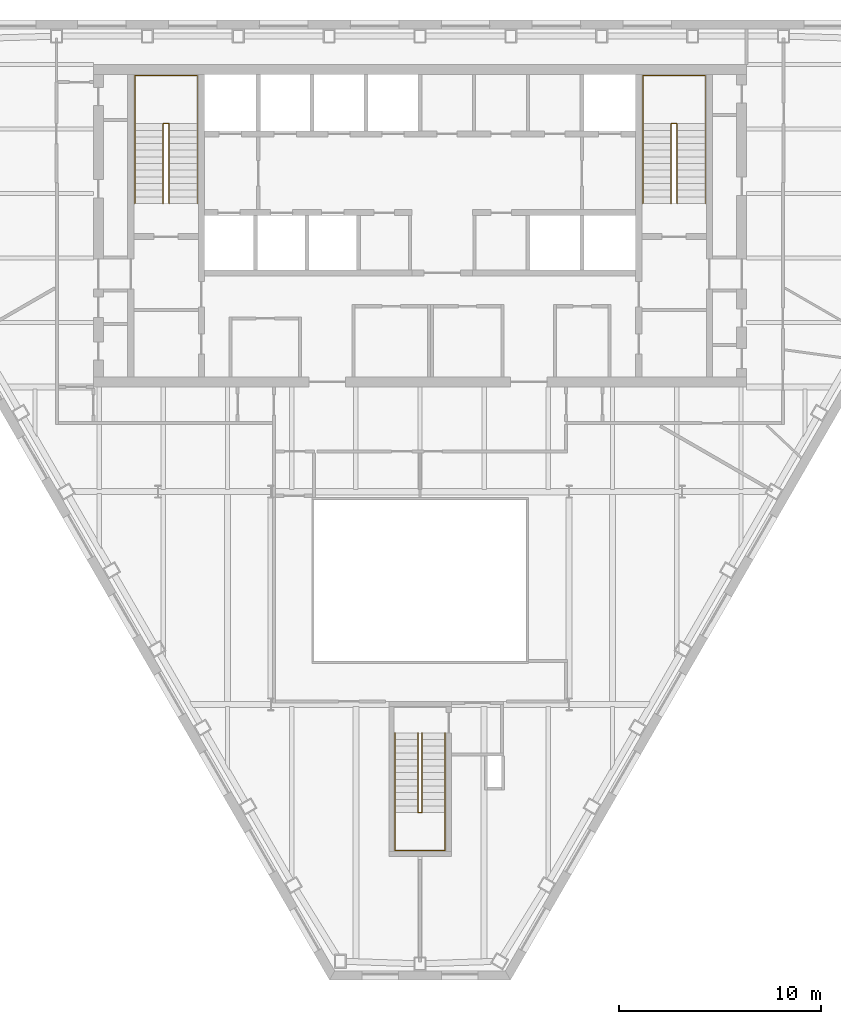
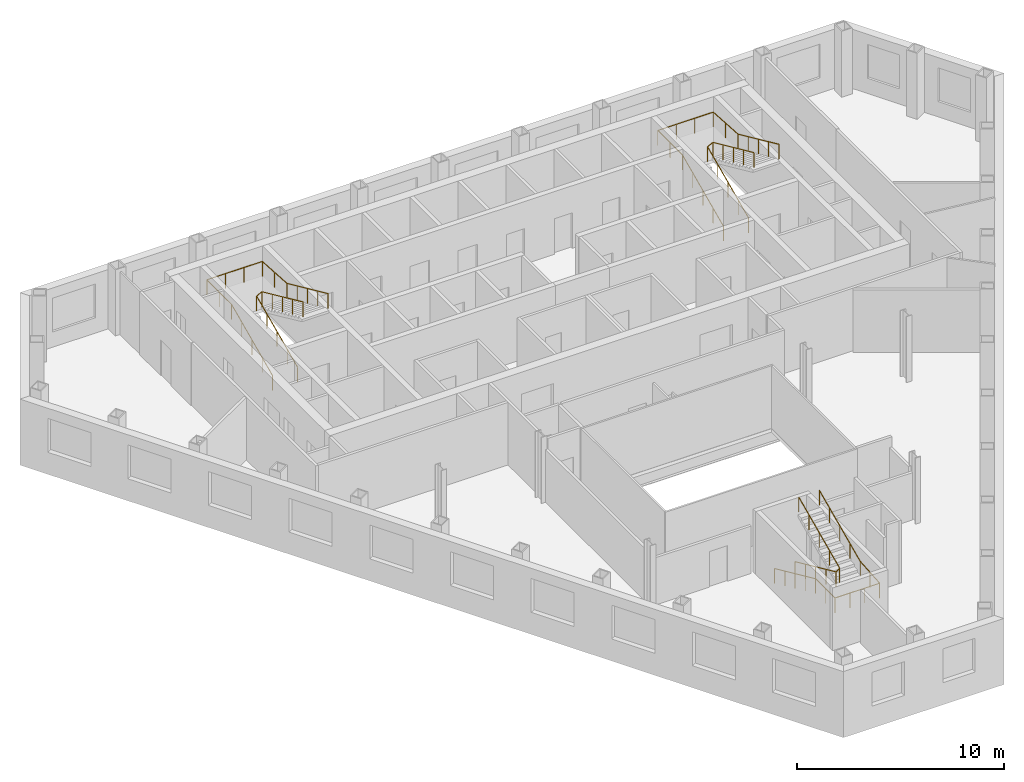
# One storey, part 11 of 11: 6 railings.
"""IFC4 building model written with IfcOpenShell, lengths in metres."""

from ifc_helpers import new_model, si_unit, direction, frame, origin, origin_2d, place, context, subcontext, project, spatial, circle, extrude, material, type_object, element, save


model = new_model("IFC4")

# Units and contexts
model_context = context("Model", 3, precision=1e-05, world=origin(), true_north=direction((0.0, 1.0)))
body_context = subcontext(model_context, "Body", "Model", "MODEL_VIEW")
ifc_project = project(units=[si_unit("LENGTHUNIT", "METRE"), si_unit("AREAUNIT", "SQUARE_METRE"), si_unit("VOLUMEUNIT", "CUBIC_METRE"), si_unit("PLANEANGLEUNIT", "RADIAN"), si_unit("MASSUNIT", "GRAM", prefix="KILO")], contexts=[model_context])

# Site, building, storey
site_placement = place(None, origin())
site = spatial("IfcSite", under=ifc_project, at=site_placement, CompositionType="ELEMENT")
building_placement = place(site_placement, origin())
building = spatial("IfcBuilding", under=site, at=building_placement, Name="Njiva Tower", CompositionType="ELEMENT")
storey_placement = place(building_placement, frame((0.0, 0.0, 143.7)))
storey = spatial("IfcBuildingStorey", under=building, at=storey_placement, Name="L30", CompositionType="ELEMENT", Elevation=143.7)

# Railings
ifc_material = material(Name="Stainless steel", Category="steel")
railing_type = type_object("IfcRailingType", Name="RL1 Stair handrail 900", PredefinedType="HANDRAIL", material=ifc_material)
railing_1_placement = place(storey_placement, frame((-14.15, 11.1, 0.15)))
element("IfcRailing", 1, at=railing_1_placement, inside=storey, type_object=railing_type, Name="Stair A handrail", PredefinedType="HANDRAIL", context=body_context, shape_type="SweptSolid", body=[
    extrude(circle(Radius=0.024, at=origin_2d()), frame((0.0, 0.0, 0.876), z_axis=(0.0, 0.910366477463, 0.413802944301), x_axis=(-1.0, 0.0, 0.0)), (0.0, 0.0, 1.0), 4.3499),
    extrude(circle(Radius=0.024, at=origin_2d()), frame((0.0, 3.96, 2.676), z_axis=(0.0, 1.0, 0.0), x_axis=(-1.0, 0.0, 0.0)), (0.0, 0.0, 1.0), 2.39),
    extrude(circle(Radius=0.024, at=origin_2d()), frame((0.0, 6.35, 2.676), z_axis=(1.0, 0.0, 0.0), x_axis=(0.0, 1.0, 0.0)), (0.0, 0.0, 1.0), 3.1),
    extrude(circle(Radius=0.024, at=origin_2d()), frame((3.1, 6.35, 2.676), z_axis=(0.0, -0.998036296047, 0.062638261258), x_axis=(1.0, 0.0, 0.0)), (0.0, 0.0, 1.0), 2.3947),
    extrude(circle(Radius=0.024, at=origin_2d()), frame((3.1, 3.96, 2.826), z_axis=(0.0, -0.910366477463, 0.413802944301), x_axis=(1.0, 0.0, 0.0)), (0.0, 0.0, 1.0), 4.3499),
    extrude(circle(Radius=0.021, at=origin_2d()), origin(), (0.0, 0.0, 1.0), 0.852),
    extrude(circle(Radius=0.021, at=origin_2d()), frame((0.0, 0.99, 0.45)), (0.0, 0.0, 1.0), 0.852),
    extrude(circle(Radius=0.021, at=origin_2d()), frame((0.0, 1.98, 0.9)), (0.0, 0.0, 1.0), 0.852),
    extrude(circle(Radius=0.021, at=origin_2d()), frame((0.0, 2.97, 1.35)), (0.0, 0.0, 1.0), 0.852),
    extrude(circle(Radius=0.021, at=origin_2d()), frame((0.0, 3.96, 1.8)), (0.0, 0.0, 1.0), 0.852),
    extrude(circle(Radius=0.021, at=origin_2d()), frame((0.0, 5.155, 1.8)), (0.0, 0.0, 1.0), 0.852),
    extrude(circle(Radius=0.021, at=origin_2d()), frame((0.0, 6.35, 1.8)), (0.0, 0.0, 1.0), 0.852),
    extrude(circle(Radius=0.021, at=origin_2d()), frame((1.0333, 6.35, 1.8)), (0.0, 0.0, 1.0), 0.852),
    extrude(circle(Radius=0.021, at=origin_2d()), frame((2.0667, 6.35, 1.8)), (0.0, 0.0, 1.0), 0.852),
    extrude(circle(Radius=0.021, at=origin_2d()), frame((3.1, 6.35, 1.8)), (0.0, 0.0, 1.0), 0.852),
    extrude(circle(Radius=0.021, at=origin_2d()), frame((3.1, 5.155, 1.875)), (0.0, 0.0, 1.0), 0.852),
    extrude(circle(Radius=0.021, at=origin_2d()), frame((3.1, 3.96, 1.95)), (0.0, 0.0, 1.0), 0.852),
    extrude(circle(Radius=0.021, at=origin_2d()), frame((3.1, 2.97, 2.4)), (0.0, 0.0, 1.0), 0.852),
    extrude(circle(Radius=0.021, at=origin_2d()), frame((3.1, 1.98, 2.85)), (0.0, 0.0, 1.0), 0.852),
    extrude(circle(Radius=0.021, at=origin_2d()), frame((3.1, 0.99, 3.3)), (0.0, 0.0, 1.0), 0.852),
    extrude(circle(Radius=0.021, at=origin_2d()), frame((3.1, 0.0, 3.75)), (0.0, 0.0, 1.0), 0.852),
])
railing_2_placement = place(storey_placement, frame((-12.75, 11.1, 0.15)))
element("IfcRailing", 2, at=railing_2_placement, inside=storey, type_object=railing_type, Name="Stair A handrail", PredefinedType="HANDRAIL", context=body_context, shape_type="SweptSolid", body=[
    extrude(circle(Radius=0.024, at=origin_2d()), frame((0.0, 0.0, 0.876), z_axis=(0.0, 0.910366477463, 0.413802944301), x_axis=(-1.0, 0.0, 0.0)), (0.0, 0.0, 1.0), 4.3499),
    extrude(circle(Radius=0.024, at=origin_2d()), frame((0.0, 3.96, 2.676), z_axis=(0.894427191, 0.0, 0.4472135955), x_axis=(0.0, 1.0, 0.0)), (0.0, 0.0, 1.0), 0.3354),
    extrude(circle(Radius=0.024, at=origin_2d()), frame((0.3, 3.96, 2.826), z_axis=(0.0, -0.910366477463, 0.413802944301), x_axis=(1.0, 0.0, 0.0)), (0.0, 0.0, 1.0), 4.3499),
    extrude(circle(Radius=0.021, at=origin_2d()), origin(), (0.0, 0.0, 1.0), 0.852),
    extrude(circle(Radius=0.021, at=origin_2d()), frame((0.0, 0.99, 0.45)), (0.0, 0.0, 1.0), 0.852),
    extrude(circle(Radius=0.021, at=origin_2d()), frame((0.0, 1.98, 0.9)), (0.0, 0.0, 1.0), 0.852),
    extrude(circle(Radius=0.021, at=origin_2d()), frame((0.0, 2.97, 1.35)), (0.0, 0.0, 1.0), 0.852),
    extrude(circle(Radius=0.021, at=origin_2d()), frame((0.0, 3.96, 1.8)), (0.0, 0.0, 1.0), 0.852),
    extrude(circle(Radius=0.021, at=origin_2d()), frame((0.3, 3.96, 1.95)), (0.0, 0.0, 1.0), 0.852),
    extrude(circle(Radius=0.021, at=origin_2d()), frame((0.3, 2.97, 2.4)), (0.0, 0.0, 1.0), 0.852),
    extrude(circle(Radius=0.021, at=origin_2d()), frame((0.3, 1.98, 2.85)), (0.0, 0.0, 1.0), 0.852),
    extrude(circle(Radius=0.021, at=origin_2d()), frame((0.3, 0.99, 3.3)), (0.0, 0.0, 1.0), 0.852),
    extrude(circle(Radius=0.021, at=origin_2d()), frame((0.3, 0.0, 3.75)), (0.0, 0.0, 1.0), 0.852),
])
railing_3_placement = place(storey_placement, frame((11.05, 11.1, 0.15)))
element("IfcRailing", 3, at=railing_3_placement, inside=storey, type_object=railing_type, Name="Stair B handrail", PredefinedType="HANDRAIL", context=body_context, shape_type="SweptSolid", body=[
    extrude(circle(Radius=0.024, at=origin_2d()), frame((0.0, 0.0, 0.876), z_axis=(0.0, 0.910366477463, 0.413802944301), x_axis=(-1.0, 0.0, 0.0)), (0.0, 0.0, 1.0), 4.3499),
    extrude(circle(Radius=0.024, at=origin_2d()), frame((0.0, 3.96, 2.676), z_axis=(0.0, 1.0, 0.0), x_axis=(-1.0, 0.0, 0.0)), (0.0, 0.0, 1.0), 2.39),
    extrude(circle(Radius=0.024, at=origin_2d()), frame((0.0, 6.35, 2.676), z_axis=(1.0, 0.0, 0.0), x_axis=(0.0, 1.0, 0.0)), (0.0, 0.0, 1.0), 3.1),
    extrude(circle(Radius=0.024, at=origin_2d()), frame((3.1, 6.35, 2.676), z_axis=(0.0, -0.998036296047, 0.062638261258), x_axis=(1.0, 0.0, 0.0)), (0.0, 0.0, 1.0), 2.3947),
    extrude(circle(Radius=0.024, at=origin_2d()), frame((3.1, 3.96, 2.826), z_axis=(0.0, -0.910366477463, 0.413802944301), x_axis=(1.0, 0.0, 0.0)), (0.0, 0.0, 1.0), 4.3499),
    extrude(circle(Radius=0.021, at=origin_2d()), origin(), (0.0, 0.0, 1.0), 0.852),
    extrude(circle(Radius=0.021, at=origin_2d()), frame((0.0, 0.99, 0.45)), (0.0, 0.0, 1.0), 0.852),
    extrude(circle(Radius=0.021, at=origin_2d()), frame((0.0, 1.98, 0.9)), (0.0, 0.0, 1.0), 0.852),
    extrude(circle(Radius=0.021, at=origin_2d()), frame((0.0, 2.97, 1.35)), (0.0, 0.0, 1.0), 0.852),
    extrude(circle(Radius=0.021, at=origin_2d()), frame((0.0, 3.96, 1.8)), (0.0, 0.0, 1.0), 0.852),
    extrude(circle(Radius=0.021, at=origin_2d()), frame((0.0, 5.155, 1.8)), (0.0, 0.0, 1.0), 0.852),
    extrude(circle(Radius=0.021, at=origin_2d()), frame((0.0, 6.35, 1.8)), (0.0, 0.0, 1.0), 0.852),
    extrude(circle(Radius=0.021, at=origin_2d()), frame((1.0333, 6.35, 1.8)), (0.0, 0.0, 1.0), 0.852),
    extrude(circle(Radius=0.021, at=origin_2d()), frame((2.0667, 6.35, 1.8)), (0.0, 0.0, 1.0), 0.852),
    extrude(circle(Radius=0.021, at=origin_2d()), frame((3.1, 6.35, 1.8)), (0.0, 0.0, 1.0), 0.852),
    extrude(circle(Radius=0.021, at=origin_2d()), frame((3.1, 5.155, 1.875)), (0.0, 0.0, 1.0), 0.852),
    extrude(circle(Radius=0.021, at=origin_2d()), frame((3.1, 3.96, 1.95)), (0.0, 0.0, 1.0), 0.852),
    extrude(circle(Radius=0.021, at=origin_2d()), frame((3.1, 2.97, 2.4)), (0.0, 0.0, 1.0), 0.852),
    extrude(circle(Radius=0.021, at=origin_2d()), frame((3.1, 1.98, 2.85)), (0.0, 0.0, 1.0), 0.852),
    extrude(circle(Radius=0.021, at=origin_2d()), frame((3.1, 0.99, 3.3)), (0.0, 0.0, 1.0), 0.852),
    extrude(circle(Radius=0.021, at=origin_2d()), frame((3.1, 0.0, 3.75)), (0.0, 0.0, 1.0), 0.852),
])
railing_4_placement = place(storey_placement, frame((12.45, 11.1, 0.15)))
element("IfcRailing", 4, at=railing_4_placement, inside=storey, type_object=railing_type, Name="Stair B handrail", PredefinedType="HANDRAIL", context=body_context, shape_type="SweptSolid", body=[
    extrude(circle(Radius=0.024, at=origin_2d()), frame((0.0, 0.0, 0.876), z_axis=(0.0, 0.910366477463, 0.413802944301), x_axis=(-1.0, 0.0, 0.0)), (0.0, 0.0, 1.0), 4.3499),
    extrude(circle(Radius=0.024, at=origin_2d()), frame((0.0, 3.96, 2.676), z_axis=(0.894427191, 0.0, 0.4472135955), x_axis=(0.0, 1.0, 0.0)), (0.0, 0.0, 1.0), 0.3354),
    extrude(circle(Radius=0.024, at=origin_2d()), frame((0.3, 3.96, 2.826), z_axis=(0.0, -0.910366477463, 0.413802944301), x_axis=(1.0, 0.0, 0.0)), (0.0, 0.0, 1.0), 4.3499),
    extrude(circle(Radius=0.021, at=origin_2d()), origin(), (0.0, 0.0, 1.0), 0.852),
    extrude(circle(Radius=0.021, at=origin_2d()), frame((0.0, 0.99, 0.45)), (0.0, 0.0, 1.0), 0.852),
    extrude(circle(Radius=0.021, at=origin_2d()), frame((0.0, 1.98, 0.9)), (0.0, 0.0, 1.0), 0.852),
    extrude(circle(Radius=0.021, at=origin_2d()), frame((0.0, 2.97, 1.35)), (0.0, 0.0, 1.0), 0.852),
    extrude(circle(Radius=0.021, at=origin_2d()), frame((0.0, 3.96, 1.8)), (0.0, 0.0, 1.0), 0.852),
    extrude(circle(Radius=0.021, at=origin_2d()), frame((0.3, 3.96, 1.95)), (0.0, 0.0, 1.0), 0.852),
    extrude(circle(Radius=0.021, at=origin_2d()), frame((0.3, 2.97, 2.4)), (0.0, 0.0, 1.0), 0.852),
    extrude(circle(Radius=0.021, at=origin_2d()), frame((0.3, 1.98, 2.85)), (0.0, 0.0, 1.0), 0.852),
    extrude(circle(Radius=0.021, at=origin_2d()), frame((0.3, 0.99, 3.3)), (0.0, 0.0, 1.0), 0.852),
    extrude(circle(Radius=0.021, at=origin_2d()), frame((0.3, 0.0, 3.75)), (0.0, 0.0, 1.0), 0.852),
])
railing_5_placement = place(storey_placement, frame((-1.25, -15.16, 0.15)))
element("IfcRailing", 5, at=railing_5_placement, inside=storey, type_object=railing_type, Name="Stair C handrail", PredefinedType="HANDRAIL", context=body_context, shape_type="SweptSolid", body=[
    extrude(circle(Radius=0.024, at=origin_2d()), frame((0.0, 0.0, 0.876), z_axis=(0.0, -0.910366477463, 0.413802944301), x_axis=(1.0, 0.0, 0.0)), (0.0, 0.0, 1.0), 4.3499),
    extrude(circle(Radius=0.024, at=origin_2d()), frame((0.0, -3.96, 2.676), z_axis=(0.0, -1.0, 0.0), x_axis=(1.0, 0.0, 0.0)), (0.0, 0.0, 1.0), 1.88),
    extrude(circle(Radius=0.024, at=origin_2d()), frame((0.0, -5.84, 2.676), z_axis=(1.0, 0.0, 0.0), x_axis=(0.0, 1.0, 0.0)), (0.0, 0.0, 1.0), 2.5),
    extrude(circle(Radius=0.024, at=origin_2d()), frame((2.5, -5.84, 2.676), z_axis=(0.0, 0.996832115713, 0.079534477318), x_axis=(-1.0, 0.0, 0.0)), (0.0, 0.0, 1.0), 1.886),
    extrude(circle(Radius=0.024, at=origin_2d()), frame((2.5, -3.96, 2.826), z_axis=(0.0, 0.910366477463, 0.413802944301), x_axis=(-1.0, 0.0, 0.0)), (0.0, 0.0, 1.0), 4.3499),
    extrude(circle(Radius=0.021, at=origin_2d()), origin(), (0.0, 0.0, 1.0), 0.852),
    extrude(circle(Radius=0.021, at=origin_2d()), frame((0.0, -0.99, 0.45)), (0.0, 0.0, 1.0), 0.852),
    extrude(circle(Radius=0.021, at=origin_2d()), frame((0.0, -1.98, 0.9)), (0.0, 0.0, 1.0), 0.852),
    extrude(circle(Radius=0.021, at=origin_2d()), frame((0.0, -2.97, 1.35)), (0.0, 0.0, 1.0), 0.852),
    extrude(circle(Radius=0.021, at=origin_2d()), frame((0.0, -3.96, 1.8)), (0.0, 0.0, 1.0), 0.852),
    extrude(circle(Radius=0.021, at=origin_2d()), frame((0.0, -4.9, 1.8)), (0.0, 0.0, 1.0), 0.852),
    extrude(circle(Radius=0.021, at=origin_2d()), frame((0.0, -5.84, 1.8)), (0.0, 0.0, 1.0), 0.852),
    extrude(circle(Radius=0.021, at=origin_2d()), frame((0.8333, -5.84, 1.8)), (0.0, 0.0, 1.0), 0.852),
    extrude(circle(Radius=0.021, at=origin_2d()), frame((1.6667, -5.84, 1.8)), (0.0, 0.0, 1.0), 0.852),
    extrude(circle(Radius=0.021, at=origin_2d()), frame((2.5, -5.84, 1.8)), (0.0, 0.0, 1.0), 0.852),
    extrude(circle(Radius=0.021, at=origin_2d()), frame((2.5, -4.9, 1.875)), (0.0, 0.0, 1.0), 0.852),
    extrude(circle(Radius=0.021, at=origin_2d()), frame((2.5, -3.96, 1.95)), (0.0, 0.0, 1.0), 0.852),
    extrude(circle(Radius=0.021, at=origin_2d()), frame((2.5, -2.97, 2.4)), (0.0, 0.0, 1.0), 0.852),
    extrude(circle(Radius=0.021, at=origin_2d()), frame((2.5, -1.98, 2.85)), (0.0, 0.0, 1.0), 0.852),
    extrude(circle(Radius=0.021, at=origin_2d()), frame((2.5, -0.99, 3.3)), (0.0, 0.0, 1.0), 0.852),
    extrude(circle(Radius=0.021, at=origin_2d()), frame((2.5, 0.0, 3.75)), (0.0, 0.0, 1.0), 0.852),
])
railing_6_placement = place(storey_placement, frame((-0.1, -15.16, 0.15)))
element("IfcRailing", 6, at=railing_6_placement, inside=storey, type_object=railing_type, Name="Stair C handrail", PredefinedType="HANDRAIL", context=body_context, shape_type="SweptSolid", body=[
    extrude(circle(Radius=0.024, at=origin_2d()), frame((0.0, 0.0, 0.876), z_axis=(0.0, -0.910366477463, 0.413802944301), x_axis=(1.0, 0.0, 0.0)), (0.0, 0.0, 1.0), 4.3499),
    extrude(circle(Radius=0.024, at=origin_2d()), frame((0.0, -3.96, 2.676), z_axis=(0.8, 0.0, 0.6), x_axis=(0.0, 1.0, 0.0)), (0.0, 0.0, 1.0), 0.25),
    extrude(circle(Radius=0.024, at=origin_2d()), frame((0.2, -3.96, 2.826), z_axis=(0.0, 0.910366477463, 0.413802944301), x_axis=(-1.0, 0.0, 0.0)), (0.0, 0.0, 1.0), 4.3499),
    extrude(circle(Radius=0.021, at=origin_2d()), origin(), (0.0, 0.0, 1.0), 0.852),
    extrude(circle(Radius=0.021, at=origin_2d()), frame((0.0, -0.99, 0.45)), (0.0, 0.0, 1.0), 0.852),
    extrude(circle(Radius=0.021, at=origin_2d()), frame((0.0, -1.98, 0.9)), (0.0, 0.0, 1.0), 0.852),
    extrude(circle(Radius=0.021, at=origin_2d()), frame((0.0, -2.97, 1.35)), (0.0, 0.0, 1.0), 0.852),
    extrude(circle(Radius=0.021, at=origin_2d()), frame((0.0, -3.96, 1.8)), (0.0, 0.0, 1.0), 0.852),
    extrude(circle(Radius=0.021, at=origin_2d()), frame((0.2, -3.96, 1.95)), (0.0, 0.0, 1.0), 0.852),
    extrude(circle(Radius=0.021, at=origin_2d()), frame((0.2, -2.97, 2.4)), (0.0, 0.0, 1.0), 0.852),
    extrude(circle(Radius=0.021, at=origin_2d()), frame((0.2, -1.98, 2.85)), (0.0, 0.0, 1.0), 0.852),
    extrude(circle(Radius=0.021, at=origin_2d()), frame((0.2, -0.99, 3.3)), (0.0, 0.0, 1.0), 0.852),
    extrude(circle(Radius=0.021, at=origin_2d()), frame((0.2, 0.0, 3.75)), (0.0, 0.0, 1.0), 0.852),
])

save(model, "model.ifc")
